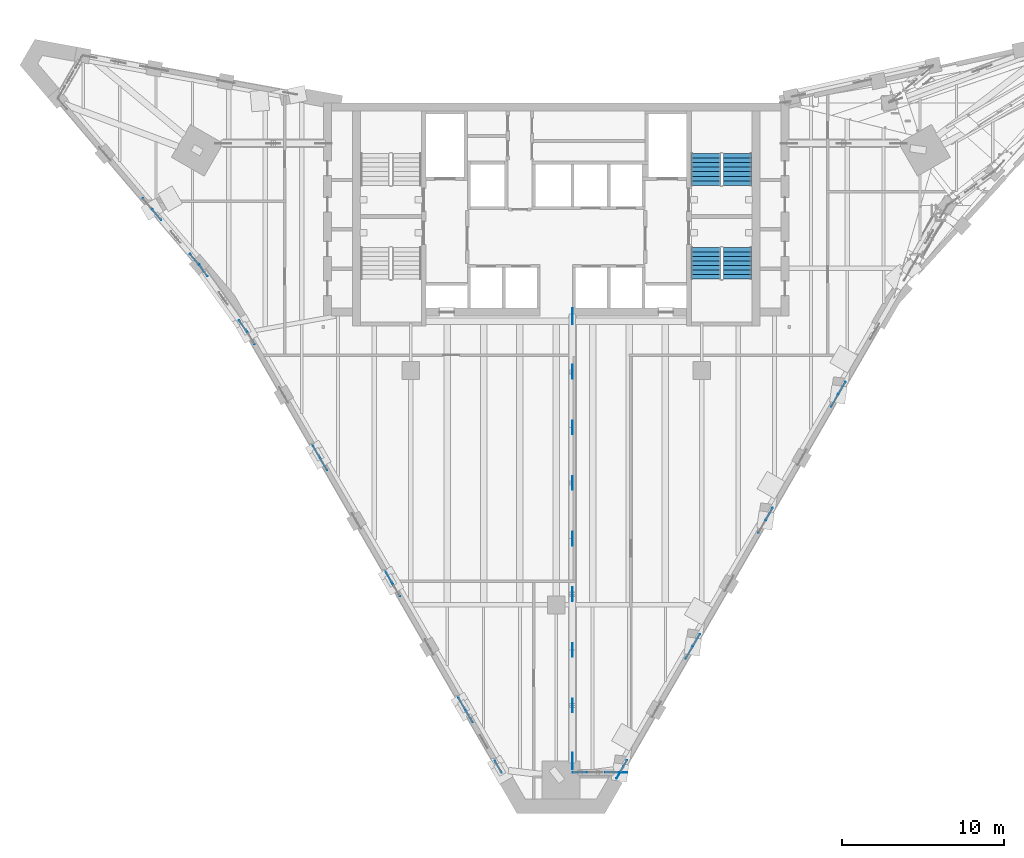
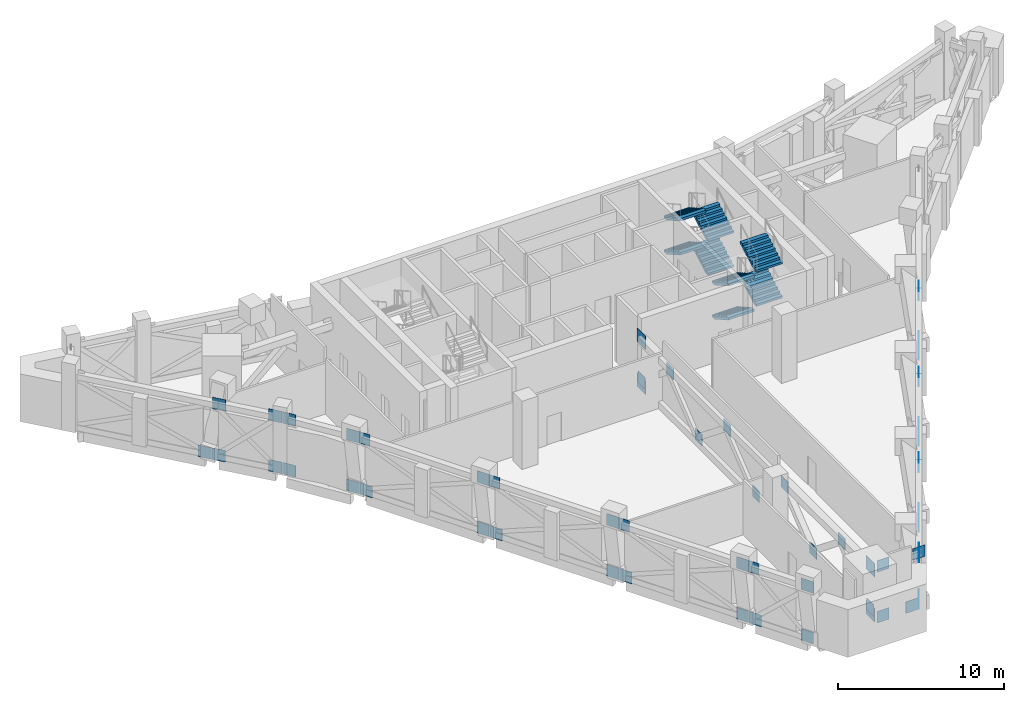
# One storey, part 14 of 23: 53 discrete accessories, 8 stair flights, 2 elements without a shape of their own.
"""IFC4 building model written with IfcOpenShell, lengths in metres."""

from ifc_helpers import new_model, si_unit, direction, frame, origin, origin_2d, place, context, subcontext, project, spatial, rectangle, extrude, faceted_brep, source, transform, mapped, material, type_object, element, aggregate, save


model = new_model("IFC4")

# Units and contexts
model_context = context("Model", 3, precision=1e-05, world=origin(), true_north=direction((0.0, 1.0)))
body_context = subcontext(model_context, "Body", "Model", "MODEL_VIEW")
ifc_project = project(units=[si_unit("LENGTHUNIT", "METRE"), si_unit("AREAUNIT", "SQUARE_METRE"), si_unit("VOLUMEUNIT", "CUBIC_METRE"), si_unit("PLANEANGLEUNIT", "RADIAN"), si_unit("MASSUNIT", "GRAM", prefix="KILO")], contexts=[model_context])

# Site, building, storey
site_placement = place(None, origin())
site = spatial("IfcSite", under=ifc_project, at=site_placement, CompositionType="ELEMENT")
building_placement = place(site_placement, origin())
building = spatial("IfcBuilding", under=site, at=building_placement, Name="Calabash Gate Tower", CompositionType="ELEMENT")
storey_placement = place(building_placement, frame((0.0, 0.0, 243.199951171875)))
storey = spatial("IfcBuildingStorey", under=building, at=storey_placement, Name="L58", CompositionType="ELEMENT", Elevation=243.199951171875)

# Stair, stair flights
ifc_material_1 = material(Name="Concrete C40/50", Category="concrete")
stair_type = type_object("IfcStairType", Name="Exit stair 32 risers of 156.2 mm", PredefinedType="HALF_TURN_STAIR", material=ifc_material_1)
stair_1_placement = place(storey_placement, origin())
stair_1 = element("IfcStair", 1, at=stair_1_placement, inside=storey, type_object=stair_type, Name="L58 Exit stair ST3", PredefinedType="HALF_TURN_STAIR")
ifc_material_2 = material(Name="Concrete C40/50", Category="concrete")
stair_flight_type = type_object("IfcStairFlightType", Name="Exit stair flight SFL", PredefinedType="STRAIGHT", material=ifc_material_2)
shared_shape = source(origin(), body_context, "Body", "Brep", [
    faceted_brep([(-0.0009765625, -0.89990234375, 0.0), (0.306884765625, -0.89990234375, 0.0), (1.9541015625, -0.89990234375, 0.921875), (-0.0009765625, 0.89990234375, 0.0), (1.9541015625, 0.89990234375, 0.921875), (0.306884765625, 0.89990234375, 0.0), (1.9541015625, -0.89990234375, 1.105712890625), (1.952880859375, -0.89990234375, 1.105712890625), (1.952880859375, 0.89990234375, 1.105712890625), (1.9541015625, 0.89990234375, 1.105712890625), (1.952880859375, -0.89990234375, 1.09375), (1.952880859375, 0.89990234375, 1.09375), (1.674072265625, -0.89990234375, 1.09375), (1.674072265625, 0.89990234375, 1.09375), (1.674072265625, -0.89990234375, 0.9375), (1.674072265625, 0.89990234375, 0.9375), (1.39501953125, -0.89990234375, 0.9375), (1.39501953125, 0.89990234375, 0.9375), (1.39501953125, -0.89990234375, 0.78125), (1.39501953125, 0.89990234375, 0.78125), (1.115966796875, -0.89990234375, 0.78125), (1.115966796875, -0.89990234375, 0.625), (1.115966796875, 0.89990234375, 0.625), (1.115966796875, 0.89990234375, 0.78125), (0.8369140625, -0.89990234375, 0.625), (0.8369140625, -0.89990234375, 0.46875), (0.8369140625, 0.89990234375, 0.46875), (0.8369140625, 0.89990234375, 0.625), (0.55810546875, -0.89990234375, 0.46875), (0.55810546875, -0.89990234375, 0.3125), (0.55810546875, 0.89990234375, 0.3125), (0.55810546875, 0.89990234375, 0.46875), (0.279052734375, -0.89990234375, 0.3125), (0.279052734375, -0.89990234375, 0.15625), (0.279052734375, 0.89990234375, 0.15625), (0.279052734375, 0.89990234375, 0.3125), (-0.0009765625, -0.89990234375, 0.15625), (-0.0009765625, 0.89990234375, 0.15625), (0.306884765625, -0.360107421875, 0.0), (1.9541015625, -0.360107421875, 0.921875), (0.306884765625, -0.27001953125, 0.0), (1.9541015625, -0.27001953125, 0.921875), (0.306884765625, -0.179931640625, 0.0), (1.9541015625, -0.179931640625, 0.921875), (0.306884765625, -0.090087890625, 0.0), (1.9541015625, -0.090087890625, 0.921875), (0.306884765625, 0.0, 0.0), (1.9541015625, 0.0, 0.921875), (0.306884765625, 0.090087890625, 0.0), (1.9541015625, 0.090087890625, 0.921875), (0.306884765625, 0.179931640625, 0.0), (1.9541015625, 0.179931640625, 0.921875), (0.306884765625, 0.27001953125, 0.0), (1.9541015625, 0.27001953125, 0.921875), (0.306884765625, 0.360107421875, 0.0), (1.9541015625, 0.360107421875, 0.921875), (1.9541015625, -0.360107421875, 1.105712890625), (1.9541015625, -0.27001953125, 1.105712890625), (1.9541015625, -0.179931640625, 1.105712890625), (1.9541015625, -0.090087890625, 1.105712890625), (1.9541015625, 0.0, 1.105712890625), (1.9541015625, 0.090087890625, 1.105712890625), (1.9541015625, 0.179931640625, 1.105712890625), (1.9541015625, 0.27001953125, 1.105712890625), (1.9541015625, 0.360107421875, 1.105712890625), (1.952880859375, -0.360107421875, 1.105712890625), (1.952880859375, -0.27001953125, 1.105712890625), (1.952880859375, -0.179931640625, 1.105712890625), (1.952880859375, -0.090087890625, 1.105712890625), (1.952880859375, 0.0, 1.105712890625), (1.952880859375, 0.090087890625, 1.105712890625), (1.952880859375, 0.179931640625, 1.105712890625), (1.952880859375, 0.27001953125, 1.105712890625), (1.952880859375, 0.360107421875, 1.105712890625), (1.952880859375, -0.360107421875, 1.09375), (1.952880859375, -0.27001953125, 1.09375), (1.952880859375, -0.179931640625, 1.09375), (1.952880859375, -0.090087890625, 1.09375), (1.952880859375, 0.0, 1.09375), (1.952880859375, 0.090087890625, 1.09375), (1.952880859375, 0.179931640625, 1.09375), (1.952880859375, 0.27001953125, 1.09375), (1.952880859375, 0.360107421875, 1.09375), (1.674072265625, -0.360107421875, 1.09375), (1.674072265625, -0.27001953125, 1.09375), (1.674072265625, -0.179931640625, 1.09375), (1.674072265625, -0.090087890625, 1.09375), (1.674072265625, 0.0, 1.09375), (1.674072265625, 0.090087890625, 1.09375), (1.674072265625, 0.179931640625, 1.09375), (1.674072265625, 0.27001953125, 1.09375), (1.674072265625, 0.360107421875, 1.09375), (1.674072265625, -0.360107421875, 0.9375), (1.674072265625, -0.27001953125, 0.9375), (1.674072265625, -0.179931640625, 0.9375), (1.674072265625, -0.090087890625, 0.9375), (1.674072265625, 0.0, 0.9375), (1.674072265625, 0.090087890625, 0.9375), (1.674072265625, 0.179931640625, 0.9375), (1.674072265625, 0.27001953125, 0.9375), (1.674072265625, 0.360107421875, 0.9375), (1.39501953125, -0.360107421875, 0.9375), (1.39501953125, -0.27001953125, 0.9375), (1.39501953125, -0.179931640625, 0.9375), (1.39501953125, -0.090087890625, 0.9375), (1.39501953125, 0.0, 0.9375), (1.39501953125, 0.090087890625, 0.9375), (1.39501953125, 0.179931640625, 0.9375), (1.39501953125, 0.27001953125, 0.9375), (1.39501953125, 0.360107421875, 0.9375), (1.39501953125, -0.360107421875, 0.78125), (1.39501953125, -0.27001953125, 0.78125), (1.39501953125, -0.179931640625, 0.78125), (1.39501953125, -0.090087890625, 0.78125), (1.39501953125, 0.0, 0.78125), (1.39501953125, 0.090087890625, 0.78125), (1.39501953125, 0.179931640625, 0.78125), (1.39501953125, 0.27001953125, 0.78125), (1.39501953125, 0.360107421875, 0.78125), (1.115966796875, -0.360107421875, 0.78125), (1.115966796875, -0.27001953125, 0.78125), (1.115966796875, -0.179931640625, 0.78125), (1.115966796875, -0.090087890625, 0.78125), (1.115966796875, 0.0, 0.78125), (1.115966796875, 0.090087890625, 0.78125), (1.115966796875, 0.179931640625, 0.78125), (1.115966796875, 0.27001953125, 0.78125), (1.115966796875, 0.360107421875, 0.78125), (1.115966796875, -0.360107421875, 0.625), (1.115966796875, -0.27001953125, 0.625), (1.115966796875, -0.179931640625, 0.625), (1.115966796875, -0.090087890625, 0.625), (1.115966796875, 0.0, 0.625), (1.115966796875, 0.090087890625, 0.625), (1.115966796875, 0.179931640625, 0.625), (1.115966796875, 0.27001953125, 0.625), (1.115966796875, 0.360107421875, 0.625), (0.8369140625, -0.360107421875, 0.625), (0.8369140625, -0.27001953125, 0.625), (0.8369140625, -0.179931640625, 0.625), (0.8369140625, -0.090087890625, 0.625), (0.8369140625, 0.0, 0.625), (0.8369140625, 0.090087890625, 0.625), (0.8369140625, 0.179931640625, 0.625), (0.8369140625, 0.27001953125, 0.625), (0.8369140625, 0.360107421875, 0.625), (0.8369140625, -0.360107421875, 0.46875), (0.8369140625, -0.27001953125, 0.46875), (0.8369140625, -0.179931640625, 0.46875), (0.8369140625, -0.090087890625, 0.46875), (0.8369140625, 0.0, 0.46875), (0.8369140625, 0.090087890625, 0.46875), (0.8369140625, 0.179931640625, 0.46875), (0.8369140625, 0.27001953125, 0.46875), (0.8369140625, 0.360107421875, 0.46875), (0.55810546875, -0.360107421875, 0.46875), (0.55810546875, -0.27001953125, 0.46875), (0.55810546875, -0.179931640625, 0.46875), (0.55810546875, -0.090087890625, 0.46875), (0.55810546875, 0.0, 0.46875), (0.55810546875, 0.090087890625, 0.46875), (0.55810546875, 0.179931640625, 0.46875), (0.55810546875, 0.27001953125, 0.46875), (0.55810546875, 0.360107421875, 0.46875), (0.55810546875, -0.360107421875, 0.3125), (0.55810546875, -0.27001953125, 0.3125), (0.55810546875, -0.179931640625, 0.3125), (0.55810546875, -0.090087890625, 0.3125), (0.55810546875, 0.0, 0.3125), (0.55810546875, 0.090087890625, 0.3125), (0.55810546875, 0.179931640625, 0.3125), (0.55810546875, 0.27001953125, 0.3125), (0.55810546875, 0.360107421875, 0.3125), (0.279052734375, -0.360107421875, 0.3125), (0.279052734375, -0.27001953125, 0.3125), (0.279052734375, -0.179931640625, 0.3125), (0.279052734375, -0.090087890625, 0.3125), (0.279052734375, 0.0, 0.3125), (0.279052734375, 0.090087890625, 0.3125), (0.279052734375, 0.179931640625, 0.3125), (0.279052734375, 0.27001953125, 0.3125), (0.279052734375, 0.360107421875, 0.3125), (0.279052734375, -0.360107421875, 0.15625), (0.279052734375, -0.27001953125, 0.15625), (0.279052734375, -0.179931640625, 0.15625), (0.279052734375, -0.090087890625, 0.15625), (0.279052734375, 0.0, 0.15625), (0.279052734375, 0.090087890625, 0.15625), (0.279052734375, 0.179931640625, 0.15625), (0.279052734375, 0.27001953125, 0.15625), (0.279052734375, 0.360107421875, 0.15625), (-0.0009765625, -0.360107421875, 0.15625), (-0.0009765625, -0.27001953125, 0.15625), (-0.0009765625, -0.179931640625, 0.15625), (-0.0009765625, -0.090087890625, 0.15625), (-0.0009765625, 0.0, 0.15625), (-0.0009765625, 0.090087890625, 0.15625), (-0.0009765625, 0.179931640625, 0.15625), (-0.0009765625, 0.27001953125, 0.15625), (-0.0009765625, 0.360107421875, 0.15625), (-0.0009765625, -0.360107421875, 0.0), (-0.0009765625, -0.27001953125, 0.0), (-0.0009765625, -0.179931640625, 0.0), (-0.0009765625, -0.090087890625, 0.0), (-0.0009765625, 0.0, 0.0), (-0.0009765625, 0.090087890625, 0.0), (-0.0009765625, 0.179931640625, 0.0), (-0.0009765625, 0.27001953125, 0.0), (-0.0009765625, 0.360107421875, 0.0)], [[[0, 1, 2]], [[3, 4, 5]], [[2, 6, 7]], [[4, 8, 9]], [[2, 7, 10]], [[4, 11, 8]], [[2, 10, 12]], [[4, 13, 11]], [[2, 12, 14]], [[4, 15, 13]], [[2, 14, 16]], [[4, 17, 15]], [[2, 16, 18]], [[4, 19, 17]], [[18, 20, 21]], [[19, 22, 23]], [[2, 18, 21]], [[4, 22, 19]], [[21, 24, 25]], [[22, 26, 27]], [[2, 21, 25]], [[4, 26, 22]], [[25, 28, 29]], [[26, 30, 31]], [[2, 25, 29]], [[4, 30, 26]], [[29, 32, 33]], [[30, 34, 35]], [[2, 29, 33]], [[4, 34, 30]], [[0, 2, 33]], [[3, 34, 4]], [[33, 36, 0]], [[34, 3, 37]], [[1, 38, 2]], [[38, 39, 2]], [[38, 40, 39]], [[40, 41, 39]], [[40, 42, 41]], [[42, 43, 41]], [[42, 44, 43]], [[44, 45, 43]], [[44, 46, 45]], [[46, 47, 45]], [[46, 48, 49]], [[46, 49, 47]], [[48, 50, 51]], [[48, 51, 49]], [[50, 52, 53]], [[50, 53, 51]], [[52, 54, 55]], [[52, 55, 53]], [[54, 5, 4]], [[54, 4, 55]], [[2, 39, 6]], [[39, 56, 6]], [[39, 41, 56]], [[41, 57, 56]], [[41, 43, 57]], [[43, 58, 57]], [[43, 45, 58]], [[45, 59, 58]], [[45, 47, 59]], [[47, 60, 59]], [[47, 49, 61]], [[47, 61, 60]], [[49, 51, 62]], [[49, 62, 61]], [[51, 53, 63]], [[51, 63, 62]], [[53, 55, 64]], [[53, 64, 63]], [[55, 4, 9]], [[55, 9, 64]], [[6, 56, 7]], [[56, 65, 7]], [[56, 57, 65]], [[57, 66, 65]], [[57, 58, 66]], [[58, 67, 66]], [[58, 59, 67]], [[59, 68, 67]], [[59, 60, 68]], [[60, 69, 68]], [[60, 61, 70]], [[60, 70, 69]], [[61, 62, 71]], [[61, 71, 70]], [[62, 63, 72]], [[62, 72, 71]], [[63, 64, 73]], [[63, 73, 72]], [[64, 9, 8]], [[64, 8, 73]], [[7, 65, 10]], [[65, 74, 10]], [[65, 66, 74]], [[66, 75, 74]], [[66, 67, 75]], [[67, 76, 75]], [[67, 68, 76]], [[68, 77, 76]], [[68, 69, 77]], [[69, 78, 77]], [[69, 70, 79]], [[69, 79, 78]], [[70, 71, 80]], [[70, 80, 79]], [[71, 72, 81]], [[71, 81, 80]], [[72, 73, 82]], [[72, 82, 81]], [[73, 8, 11]], [[73, 11, 82]], [[10, 74, 12]], [[74, 83, 12]], [[74, 75, 83]], [[75, 84, 83]], [[75, 76, 84]], [[76, 85, 84]], [[76, 77, 85]], [[77, 86, 85]], [[77, 78, 86]], [[78, 87, 86]], [[78, 79, 88]], [[78, 88, 87]], [[79, 80, 89]], [[79, 89, 88]], [[80, 81, 90]], [[80, 90, 89]], [[81, 82, 91]], [[81, 91, 90]], [[82, 11, 13]], [[82, 13, 91]], [[12, 83, 14]], [[83, 92, 14]], [[83, 84, 92]], [[84, 93, 92]], [[84, 85, 93]], [[85, 94, 93]], [[85, 86, 94]], [[86, 95, 94]], [[86, 87, 95]], [[87, 96, 95]], [[87, 88, 97]], [[87, 97, 96]], [[88, 89, 98]], [[88, 98, 97]], [[89, 90, 99]], [[89, 99, 98]], [[90, 91, 100]], [[90, 100, 99]], [[91, 13, 15]], [[91, 15, 100]], [[14, 92, 16]], [[92, 101, 16]], [[92, 93, 101]], [[93, 102, 101]], [[93, 94, 102]], [[94, 103, 102]], [[94, 95, 103]], [[95, 104, 103]], [[95, 96, 104]], [[96, 105, 104]], [[96, 97, 106]], [[96, 106, 105]], [[97, 98, 107]], [[97, 107, 106]], [[98, 99, 108]], [[98, 108, 107]], [[99, 100, 109]], [[99, 109, 108]], [[100, 15, 17]], [[100, 17, 109]], [[16, 101, 18]], [[101, 110, 18]], [[101, 102, 110]], [[102, 111, 110]], [[102, 103, 111]], [[103, 112, 111]], [[103, 104, 112]], [[104, 113, 112]], [[104, 105, 113]], [[105, 114, 113]], [[105, 106, 115]], [[105, 115, 114]], [[106, 107, 116]], [[106, 116, 115]], [[107, 108, 117]], [[107, 117, 116]], [[108, 109, 118]], [[108, 118, 117]], [[109, 17, 19]], [[109, 19, 118]], [[18, 110, 20]], [[110, 119, 20]], [[110, 111, 119]], [[111, 120, 119]], [[111, 112, 120]], [[112, 121, 120]], [[112, 113, 121]], [[113, 122, 121]], [[113, 114, 122]], [[114, 123, 122]], [[114, 115, 124]], [[114, 124, 123]], [[115, 116, 125]], [[115, 125, 124]], [[116, 117, 126]], [[116, 126, 125]], [[117, 118, 127]], [[117, 127, 126]], [[118, 19, 23]], [[118, 23, 127]], [[20, 119, 21]], [[119, 128, 21]], [[119, 120, 128]], [[120, 129, 128]], [[120, 121, 129]], [[121, 130, 129]], [[121, 122, 130]], [[122, 131, 130]], [[122, 123, 131]], [[123, 132, 131]], [[123, 124, 133]], [[123, 133, 132]], [[124, 125, 134]], [[124, 134, 133]], [[125, 126, 135]], [[125, 135, 134]], [[126, 127, 136]], [[126, 136, 135]], [[127, 23, 22]], [[127, 22, 136]], [[21, 128, 24]], [[128, 137, 24]], [[128, 129, 137]], [[129, 138, 137]], [[129, 130, 138]], [[130, 139, 138]], [[130, 131, 139]], [[131, 140, 139]], [[131, 132, 140]], [[132, 141, 140]], [[132, 133, 142]], [[132, 142, 141]], [[133, 134, 143]], [[133, 143, 142]], [[134, 135, 144]], [[134, 144, 143]], [[135, 136, 145]], [[135, 145, 144]], [[136, 22, 27]], [[136, 27, 145]], [[24, 137, 25]], [[137, 146, 25]], [[137, 138, 146]], [[138, 147, 146]], [[138, 139, 147]], [[139, 148, 147]], [[139, 140, 148]], [[140, 149, 148]], [[140, 141, 149]], [[141, 150, 149]], [[141, 142, 151]], [[141, 151, 150]], [[142, 143, 152]], [[142, 152, 151]], [[143, 144, 153]], [[143, 153, 152]], [[144, 145, 154]], [[144, 154, 153]], [[145, 27, 26]], [[145, 26, 154]], [[25, 146, 28]], [[146, 155, 28]], [[146, 147, 155]], [[147, 156, 155]], [[147, 148, 156]], [[148, 157, 156]], [[148, 149, 157]], [[149, 158, 157]], [[149, 150, 158]], [[150, 159, 158]], [[150, 151, 160]], [[150, 160, 159]], [[151, 152, 161]], [[151, 161, 160]], [[152, 153, 162]], [[152, 162, 161]], [[153, 154, 163]], [[153, 163, 162]], [[154, 26, 31]], [[154, 31, 163]], [[28, 155, 29]], [[155, 164, 29]], [[155, 156, 164]], [[156, 165, 164]], [[156, 157, 165]], [[157, 166, 165]], [[157, 158, 166]], [[158, 167, 166]], [[158, 159, 167]], [[159, 168, 167]], [[159, 160, 169]], [[159, 169, 168]], [[160, 161, 170]], [[160, 170, 169]], [[161, 162, 171]], [[161, 171, 170]], [[162, 163, 172]], [[162, 172, 171]], [[163, 31, 30]], [[163, 30, 172]], [[29, 164, 32]], [[164, 173, 32]], [[164, 165, 173]], [[165, 174, 173]], [[165, 166, 174]], [[166, 175, 174]], [[166, 167, 175]], [[167, 176, 175]], [[167, 168, 176]], [[168, 177, 176]], [[168, 169, 178]], [[168, 178, 177]], [[169, 170, 179]], [[169, 179, 178]], [[170, 171, 180]], [[170, 180, 179]], [[171, 172, 181]], [[171, 181, 180]], [[172, 30, 35]], [[172, 35, 181]], [[32, 173, 33]], [[173, 182, 33]], [[173, 174, 182]], [[174, 183, 182]], [[174, 175, 183]], [[175, 184, 183]], [[175, 176, 184]], [[176, 185, 184]], [[176, 177, 185]], [[177, 186, 185]], [[177, 178, 187]], [[177, 187, 186]], [[178, 179, 188]], [[178, 188, 187]], [[179, 180, 189]], [[179, 189, 188]], [[180, 181, 190]], [[180, 190, 189]], [[181, 35, 34]], [[181, 34, 190]], [[33, 182, 36]], [[182, 191, 36]], [[182, 183, 191]], [[183, 192, 191]], [[183, 184, 192]], [[184, 193, 192]], [[184, 185, 193]], [[185, 194, 193]], [[185, 186, 194]], [[186, 195, 194]], [[186, 187, 196]], [[186, 196, 195]], [[187, 188, 197]], [[187, 197, 196]], [[188, 189, 198]], [[188, 198, 197]], [[189, 190, 199]], [[189, 199, 198]], [[190, 34, 37]], [[190, 37, 199]], [[36, 191, 0]], [[191, 200, 0]], [[191, 192, 200]], [[192, 201, 200]], [[192, 193, 201]], [[193, 202, 201]], [[193, 194, 202]], [[194, 203, 202]], [[194, 195, 203]], [[195, 204, 203]], [[195, 196, 205]], [[195, 205, 204]], [[196, 197, 206]], [[196, 206, 205]], [[197, 198, 207]], [[197, 207, 206]], [[198, 199, 208]], [[198, 208, 207]], [[199, 37, 3]], [[199, 3, 208]], [[0, 200, 1]], [[200, 38, 1]], [[200, 201, 38]], [[201, 40, 38]], [[201, 202, 40]], [[202, 42, 40]], [[202, 203, 42]], [[203, 44, 42]], [[203, 204, 44]], [[204, 46, 44]], [[204, 205, 48]], [[204, 48, 46]], [[205, 206, 50]], [[205, 50, 48]], [[206, 207, 52]], [[206, 52, 50]], [[207, 208, 54]], [[207, 54, 52]], [[208, 3, 5]], [[208, 5, 54]]]),
])
stair_flight_1_placement = place(storey_placement, frame((11.199951171875, 13.95263671875, 0.0), z_axis=(0.0, 0.0, 1.0), x_axis=(0.0, 1.0, 0.0)))
stair_flight_1 = element("IfcStairFlight", 2, at=stair_flight_1_placement, type_object=stair_flight_type, Name="ST3 flight 1", NumberOfRisers=8, NumberOfTreads=7, PredefinedType="STRAIGHT", RiserHeight=0.15625, TreadLength=0.279, context=body_context, shape_type="MappedRepresentation", body=[
    mapped(shared_shape, transform((0.0, 0.0, 0.0), scale=1.0)),
])
stair_flight_2_placement = place(storey_placement, frame((9.25, 15.905517578125, 1.25), z_axis=(0.0, 0.0, 1.0), x_axis=(0.0, -1.0, 0.0)))
stair_flight_2 = element("IfcStairFlight", 3, at=stair_flight_2_placement, type_object=stair_flight_type, Name="ST3 flight 2", NumberOfRisers=8, NumberOfTreads=7, PredefinedType="STRAIGHT", RiserHeight=0.15625, TreadLength=0.279, context=body_context, shape_type="MappedRepresentation", body=[
    mapped(shared_shape, transform((0.0, 0.0, 0.0), scale=1.0)),
])
stair_flight_3_placement = place(storey_placement, frame((11.199951171875, 13.95263671875, 2.5), z_axis=(0.0, 0.0, 1.0), x_axis=(0.0, 1.0, 0.0)))
stair_flight_3 = element("IfcStairFlight", 4, at=stair_flight_3_placement, type_object=stair_flight_type, Name="ST3 flight 3", NumberOfRisers=8, NumberOfTreads=7, PredefinedType="STRAIGHT", RiserHeight=0.15625, TreadLength=0.279, context=body_context, shape_type="MappedRepresentation", body=[
    mapped(shared_shape, transform((0.0, 0.0, 0.0), scale=1.0)),
])
stair_flight_4_placement = place(storey_placement, frame((9.25, 15.905517578125, 3.75), z_axis=(0.0, 0.0, 1.0), x_axis=(0.0, -1.0, 0.0)))
stair_flight_4 = element("IfcStairFlight", 5, at=stair_flight_4_placement, type_object=stair_flight_type, Name="ST3 flight 4", NumberOfRisers=8, NumberOfTreads=7, PredefinedType="STRAIGHT", RiserHeight=0.15625, TreadLength=0.279, context=body_context, shape_type="MappedRepresentation", body=[
    mapped(shared_shape, transform((0.0, 0.0, 0.0), scale=1.0)),
])
aggregate(stair_1, [stair_flight_1, stair_flight_2, stair_flight_3, stair_flight_4])

stair_2_placement = place(storey_placement, origin())
stair_2 = element("IfcStair", 6, at=stair_2_placement, inside=storey, type_object=stair_type, Name="L58 Exit stair ST4", PredefinedType="HALF_TURN_STAIR")
stair_flight_5_placement = place(storey_placement, frame((9.25, 10.1025390625, 0.0), z_axis=(0.0, 0.0, 1.0), x_axis=(0.0, -1.0, 0.0)))
stair_flight_5 = element("IfcStairFlight", 7, at=stair_flight_5_placement, type_object=stair_flight_type, Name="ST4 flight 1", NumberOfRisers=8, NumberOfTreads=7, PredefinedType="STRAIGHT", RiserHeight=0.15625, TreadLength=0.279, context=body_context, shape_type="MappedRepresentation", body=[
    mapped(shared_shape, transform((0.0, 0.0, 0.0), scale=1.0)),
])
stair_flight_6_placement = place(storey_placement, frame((11.199951171875, 8.149658203125, 1.25), z_axis=(0.0, 0.0, 1.0), x_axis=(0.0, 1.0, 0.0)))
stair_flight_6 = element("IfcStairFlight", 8, at=stair_flight_6_placement, type_object=stair_flight_type, Name="ST4 flight 2", NumberOfRisers=8, NumberOfTreads=7, PredefinedType="STRAIGHT", RiserHeight=0.15625, TreadLength=0.279, context=body_context, shape_type="MappedRepresentation", body=[
    mapped(shared_shape, transform((0.0, 0.0, 0.0), scale=1.0)),
])
stair_flight_7_placement = place(storey_placement, frame((9.25, 10.1025390625, 2.5), z_axis=(0.0, 0.0, 1.0), x_axis=(0.0, -1.0, 0.0)))
stair_flight_7 = element("IfcStairFlight", 9, at=stair_flight_7_placement, type_object=stair_flight_type, Name="ST4 flight 3", NumberOfRisers=8, NumberOfTreads=7, PredefinedType="STRAIGHT", RiserHeight=0.15625, TreadLength=0.279, context=body_context, shape_type="MappedRepresentation", body=[
    mapped(shared_shape, transform((0.0, 0.0, 0.0), scale=1.0)),
])
stair_flight_8_placement = place(storey_placement, frame((11.199951171875, 8.149658203125, 3.75), z_axis=(0.0, 0.0, 1.0), x_axis=(0.0, 1.0, 0.0)))
stair_flight_8 = element("IfcStairFlight", 10, at=stair_flight_8_placement, type_object=stair_flight_type, Name="ST4 flight 4", NumberOfRisers=8, NumberOfTreads=7, PredefinedType="STRAIGHT", RiserHeight=0.15625, TreadLength=0.279, context=body_context, shape_type="MappedRepresentation", body=[
    mapped(shared_shape, transform((0.0, 0.0, 0.0), scale=1.0)),
])
aggregate(stair_2, [stair_flight_5, stair_flight_6, stair_flight_7, stair_flight_8])

# Discrete accessories
ifc_material_3 = material(Name="Steel ASTM A572 Gr50", Category="steel")
discrete_accessory_type = type_object("IfcDiscreteAccessoryType", Name="Connection plate 25", PredefinedType="BRACKET", material=ifc_material_3)
for number, where, z_axis, x_axis, name in (
    (11, (-18.882080078125, 4.48779296875, -0.2216796875), (0.0, 0.0, 1.0), (0.499999984885, -0.866025412511, 0.0), "Connection plate Belt chord L58 1 start"),
    (12, (-14.83203125, -2.52685546875, -0.2216796875), (0.0, 0.0, 1.0), (0.499999984885, -0.866025412511, 0.0), "Connection plate Belt chord L58 1 end"),
    (13, (-18.968994140625, 4.638916015625, 3.501953125), (0.0, 0.0, 1.0), (0.499976964571, -0.866038702887, 0.0), "Connection plate Belt chord L58 2 start"),
    (14, (-14.83203125, -2.52685546875, 3.50146484375), (0.0, 0.0, 1.0), (0.499976964571, -0.866038702887, 0.0), "Connection plate Belt chord L58 2 end"),
    (15, (-14.382080078125, -3.306396484375, -0.2216796875), (0.0, 0.0, 1.0), (0.49999993954, -0.866025438691, 0.0), "Connection plate Belt chord L58 6 start"),
    (16, (-10.33203125, -10.3212890625, -0.2216796875), (0.0, 0.0, 1.0), (0.49999993954, -0.866025438691, 0.0), "Connection plate Belt chord L58 6 end"),
    (17, (-14.468994140625, -3.153076171875, 3.501953125), (0.0, 0.0, 1.0), (0.499860346064, -0.86610601801, 0.0), "Connection plate Belt chord L58 7 start"),
    (18, (-10.33203125, -10.3212890625, 3.50146484375), (0.0, 0.0, 1.0), (0.499860346064, -0.86610601801, 0.0), "Connection plate Belt chord L58 7 end"),
    (19, (-9.882080078125, -11.1005859375, -0.2216796875), (0.0, 0.0, 1.0), (0.499999984885, -0.866025412511, 0.0), "Connection plate Belt chord L58 11 start"),
    (20, (-5.83203125, -18.115478515625, -0.2216796875), (0.0, 0.0, 1.0), (0.499999984885, -0.866025412511, 0.0), "Connection plate Belt chord L58 11 end"),
    (21, (-9.968994140625, -10.948974609375, 3.501953125), (0.0, 0.0, 1.0), (0.499953052092, -0.866052507475, 0.0), "Connection plate Belt chord L58 12 start"),
    (22, (-5.83203125, -18.115478515625, 3.50146484375), (0.0, 0.0, 1.0), (0.499953052092, -0.866052507475, 0.0), "Connection plate Belt chord L58 12 end"),
    (23, (-5.382080078125, -18.894775390625, -0.2216796875), (0.0, 0.0, 1.0), (0.49999981862, -0.866025508504, 0.0), "Connection plate Belt chord L58 16 start"),
    (24, (-3.58203125, -22.012451171875, -0.2216796875), (0.0, 0.0, 1.0), (0.49999981862, -0.866025508504, 0.0), "Connection plate Belt chord L58 16 end"),
    (25, (-5.468994140625, -18.742919921875, 3.501953125), (0.0, 0.0, 1.0), (0.499870776345, -0.866099998243, 0.0), "Connection plate Belt chord L58 17 start"),
    (26, (-3.58203125, -22.012451171875, 3.50146484375), (0.0, 0.0, 1.0), (0.499870776345, -0.866099998243, 0.0), "Connection plate Belt chord L58 17 end"),
    (27, (1.458740234375, -22.37744140625, -0.2216796875), (0.0, 0.0, 1.0), (0.999986116135, 0.005269491144, 0.0), "Connection plate Belt chord L58 21 start"),
    (28, (3.4599609375, -22.366943359375, -0.22216796875), (0.0, 0.0, 1.0), (0.999986116135, 0.005269491144, 0.0), "Connection plate Belt chord L58 21 end"),
    (29, (1.458740234375, -22.37744140625, 3.50146484375), (0.0, 0.0, 1.0), (0.999982968784, 0.005836278072, 0.0), "Connection plate Belt chord L58 22 start"),
    (30, (3.950927734375, -22.363037109375, 3.501953125), (0.0, 0.0, 1.0), (0.999982968784, 0.005836278072, 0.0), "Connection plate Belt chord L58 22 end"),
    (31, (4.1708984375, -21.97509765625, -0.2216796875), (0.0, 0.0, 1.0), (0.499999984885, 0.866025412511, 0.0), "Connection plate Belt chord L58 26 start"),
    (32, (8.220947265625, -14.960205078125, -0.2216796875), (0.0, 0.0, 1.0), (0.499999984885, 0.866025412511, 0.0), "Connection plate Belt chord L58 26 end"),
    (33, (3.947021484375, -22.366943359375, 3.501953125), (0.0, 0.0, 1.0), (0.499881130972, 0.866094021973, 0.0), "Connection plate Belt chord L58 27 start"),
    (34, (8.674072265625, -14.177001953125, 3.501953125), (0.0, 0.0, 1.0), (0.499881130972, 0.866094021973, 0.0), "Connection plate Belt chord L58 27 end"),
    (35, (8.6708984375, -14.180908203125, -0.2216796875), (0.0, 0.0, 1.0), (0.49999993954, 0.866025438691, 0.0), "Connection plate Belt chord L58 31 start"),
    (36, (12.720947265625, -7.166015625, -0.2216796875), (0.0, 0.0, 1.0), (0.49999993954, 0.866025438691, 0.0), "Connection plate Belt chord L58 31 end"),
    (37, (13.174072265625, -6.382080078125, 3.501953125), (0.0, 0.0, 1.0), (0.500027025367, 0.866009800119, 0.0), "Connection plate Belt chord L58 32 end"),
    (38, (13.1708984375, -6.38671875, -0.2216796875), (0.0, 0.0, 1.0), (0.49999993954, 0.866025438691, 0.0), "Connection plate Belt chord L58 36 start"),
    (39, (17.220947265625, 0.628173828125, -0.2216796875), (0.0, 0.0, 1.0), (0.49999993954, 0.866025438691, 0.0), "Connection plate Belt chord L58 36 end"),
    (40, (17.674072265625, 1.412109375, 3.501953125), (0.0, 0.0, 1.0), (0.500038028845, 0.866003446707, 0.0), "Connection plate Belt chord L58 37 end"),
    (41, (17.6708984375, 1.40771484375, -0.2216796875), (0.0, 0.0, 1.0), (0.500000045345, 0.866025377604, 0.0), "Connection plate Belt chord L58 41 start"),
    (42, (-25.289794921875, 12.808349609375, -0.2216796875), (0.0, 0.0, 1.0), (0.647703811688, -0.761892231438, 0.0), "Connection plate Belt chord L58 96 end"),
    (43, (-24.7041015625, 12.118896484375, 3.501953125), (0.0, 0.0, 1.0), (0.647687921001, -0.761905740226, 0.0), "Connection plate Belt chord L58 97 end"),
    (44, (-24.706787109375, 12.12255859375, -0.2216796875), (0.0, 0.0, 1.0), (0.647703838283, -0.761892208828, 0.0), "Connection plate Belt chord L58 101 start"),
    (45, (-22.375, 9.379638671875, -0.2216796875), (0.0, 0.0, 1.0), (0.647703838283, -0.761892208828, 0.0), "Connection plate Belt chord L58 101 end"),
    (46, (-22.375, 9.379638671875, 3.50146484375), (0.0, 0.0, 1.0), (0.647703838283, -0.761892208828, 0.0), "Connection plate Belt chord L58 102 end"),
    (47, (-21.82080078125, 8.669677734375, -0.2216796875), (0.0, 0.0, 1.0), (0.581967735271, -0.813211875899, 0.0), "Connection plate Belt chord L58 106 start"),
    (48, (-19.3701171875, 5.2451171875, -0.2216796875), (0.0, 0.0, 1.0), (0.581967735271, -0.813211875899, 0.0), "Connection plate Belt chord L58 106 end"),
    (49, (-21.82080078125, 8.669677734375, 3.50146484375), (0.0, 0.0, 1.0), (0.581967735271, -0.813211875899, 0.0), "Connection plate Belt chord L58 107 start"),
    (50, (-19.3701171875, 5.2451171875, 3.50146484375), (0.0, 0.0, 1.0), (0.581967735271, -0.813211875899, 0.0), "Connection plate Belt chord L58 107 end"),
):
    element("IfcDiscreteAccessory", number, at=place(storey_placement, frame(where, z_axis=z_axis, x_axis=x_axis)), inside=storey, type_object=discrete_accessory_type, Name=name, PredefinedType="BRACKET", context=body_context, shape_type="SweptSolid", body=[
        extrude(rectangle(XDim=0.850341796875, YDim=0.02490234375, at=origin_2d()), origin(), (0.0, 0.0, 1.0), 0.850341796875),
    ])
for number, where, z_axis, x_axis, name in (
    (51, (1.0, -21.661865234375, -0.252197265625), (0.0, 0.0, 1.0), (0.0, 1.0, 0.0), "Connection plate Outrigger chord L58 S start"),
    (52, (1.0, 5.8525390625, -0.252197265625), (0.0, 0.0, 1.0), (0.0, 1.0, 0.0), "Connection plate Outrigger chord L58 S end"),
    (53, (1.0, -21.661865234375, 3.019775390625), (0.0, 0.0, 1.0), (0.0, 1.0, 0.0), "Connection plate Outrigger chord L58 S start"),
    (54, (1.0, 5.8525390625, 3.019775390625), (0.0, 0.0, 1.0), (0.0, 1.0, 0.0), "Connection plate Outrigger chord L58 S end"),
):
    element("IfcDiscreteAccessory", number, at=place(storey_placement, frame(where, z_axis=z_axis, x_axis=x_axis)), inside=storey, type_object=discrete_accessory_type, Name=name, PredefinedType="BRACKET", context=body_context, shape_type="SweptSolid", body=[
        extrude(rectangle(XDim=1.0126953125, YDim=0.02490234375, at=origin_2d()), origin(), (0.0, 0.0, 1.0), 1.0126953125),
    ])
for number, where, z_axis, x_axis, name in (
    (55, (1.0, -21.661865234375, 0.0830078125), (0.0, 0.0, 1.0), (0.0, 1.0, 0.0), "Connection plate Outrigger diagonal L58 S start"),
    (56, (1.0, -18.222412109375, 2.8466796875), (0.0, 0.0, 1.0), (0.0, 1.0, 0.0), "Connection plate Outrigger diagonal L58 S end"),
    (57, (1.0, -14.783203125, 0.0830078125), (0.0, 0.0, 1.0), (0.0, 1.0, 0.0), "Connection plate Outrigger diagonal L58 S end"),
    (58, (1.0, -11.343994140625, 2.8466796875), (0.0, 0.0, 1.0), (0.0, 1.0, 0.0), "Connection plate Outrigger diagonal L58 S end"),
    (59, (1.0, -7.904541015625, 0.0830078125), (0.0, 0.0, 1.0), (0.0, 1.0, 0.0), "Connection plate Outrigger diagonal L58 S end"),
    (60, (1.0, -4.46533203125, 2.8466796875), (0.0, 0.0, 1.0), (0.0, 1.0, 0.0), "Connection plate Outrigger diagonal L58 S end"),
    (61, (1.0, -1.026123046875, 0.0830078125), (0.0, 0.0, 1.0), (0.0, 1.0, 0.0), "Connection plate Outrigger diagonal L58 S end"),
    (62, (1.0, 2.413330078125, 2.8466796875), (0.0, 0.0, 1.0), (0.0, 1.0, 0.0), "Connection plate Outrigger diagonal L58 S end"),
    (63, (1.0, 5.8525390625, 0.0830078125), (0.0, 0.0, 1.0), (0.0, 1.0, 0.0), "Connection plate Outrigger diagonal L58 S end"),
):
    element("IfcDiscreteAccessory", number, at=place(storey_placement, frame(where, z_axis=z_axis, x_axis=x_axis)), inside=storey, type_object=discrete_accessory_type, Name=name, PredefinedType="BRACKET", context=body_context, shape_type="SweptSolid", body=[
        extrude(rectangle(XDim=0.850341796875, YDim=0.02490234375, at=origin_2d()), origin(), (0.0, 0.0, 1.0), 0.850341796875),
    ])

save(model, "model.ifc")
